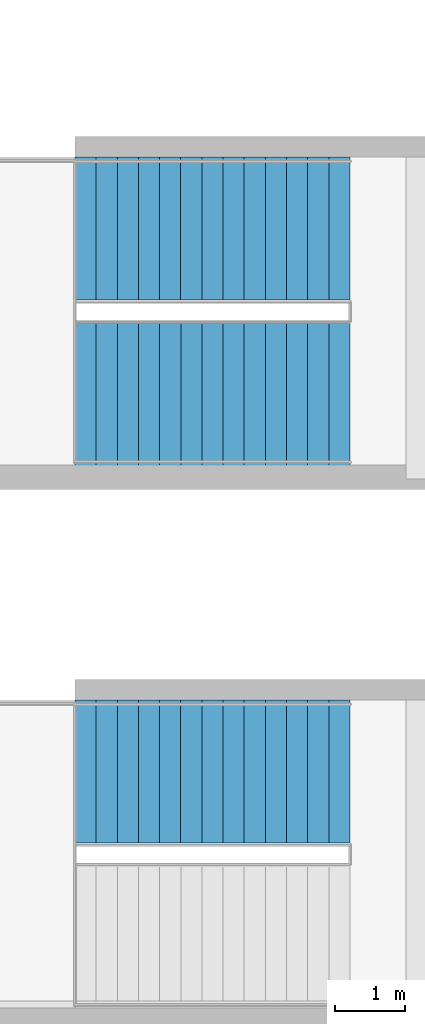
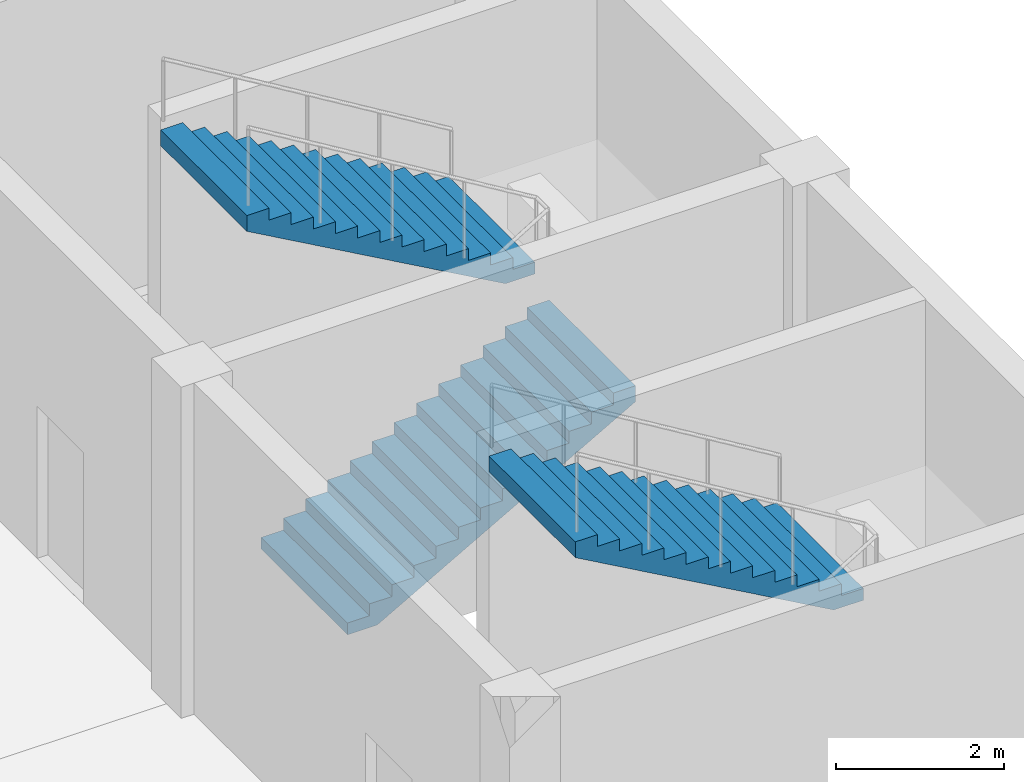
# One storey, part 87 of 91: 3 stair flights, 2 elements without a shape of their own.
"""IFC4 building model written with IfcOpenShell, lengths in metres."""

from ifc_helpers import new_model, si_unit, direction, frame, origin, place, context, subcontext, project, spatial, polyline, outline, extrude, material, type_object, element, aggregate, save


model = new_model("IFC4")

# Units and contexts
model_context = context("Model", 3, precision=1e-05, world=origin(), true_north=direction((0.0, 1.0)))
body_context = subcontext(model_context, "Body", "Model", "MODEL_VIEW")
ifc_project = project(units=[si_unit("LENGTHUNIT", "METRE"), si_unit("AREAUNIT", "SQUARE_METRE"), si_unit("VOLUMEUNIT", "CUBIC_METRE"), si_unit("PLANEANGLEUNIT", "RADIAN"), si_unit("MASSUNIT", "GRAM", prefix="KILO")], contexts=[model_context])

# Site, building, storey
site_placement = place(None, origin())
site = spatial("IfcSite", under=ifc_project, at=site_placement, CompositionType="ELEMENT")
building_placement = place(site_placement, origin())
building = spatial("IfcBuilding", under=site, at=building_placement, Name="Pellamere Symphony Hall", CompositionType="ELEMENT")
storey_placement = place(building_placement, frame((0.0, 0.0, 5.39990234375)))
storey = spatial("IfcBuildingStorey", under=building, at=storey_placement, Name="L01", CompositionType="ELEMENT", Elevation=5.39990234375)

# Stair, stair flight
ifc_material = material(Name="Concrete 40 MPa", Category="concrete")
stair_type = type_object("IfcStairType", Name="Stair ST-B W2050", PredefinedType="HALF_TURN_STAIR", material=ifc_material)
stair_1_placement = place(storey_placement, origin())
stair_1 = element("IfcStair", 1, at=stair_1_placement, inside=storey, type_object=stair_type, Name="Exit Stair ST05-L01 (L01 to L02)", PredefinedType="HALF_TURN_STAIR")
stair_flight_type = type_object("IfcStairFlightType", Name="Stair Flight SF-B W2050", PredefinedType="STRAIGHT", material=ifc_material)
stair_flight_1_placement = place(storey_placement, frame((170.574951171875, 73.175048828125, 2.400146484375), z_axis=(0.0, 0.0, 1.0), x_axis=(-1.0, 0.0, 0.0)))
stair_flight_1 = element("IfcStairFlight", 2, at=stair_flight_1_placement, type_object=stair_flight_type, Name="Stair ST05-L01 Upper Flight (L01)", NumberOfRisers=14, NumberOfTreads=13, PredefinedType="STRAIGHT", RiserHeight=0.17143, TreadLength=0.30385, context=body_context, shape_type="SweptSolid", body=[
    extrude(outline(polyline([(0.0, 0.0), (0.0, 0.17138671875), (0.303955078125, 0.17138671875), (0.303955078125, 0.3427734375), (0.607666015625, 0.3427734375), (0.607666015625, 0.514404296875), (0.91162109375, 0.514404296875), (0.91162109375, 0.685791015625), (1.21533203125, 0.685791015625), (1.21533203125, 0.857177734375), (1.519287109375, 0.857177734375), (1.519287109375, 1.028564453125), (1.822998046875, 1.028564453125), (1.822998046875, 1.199951171875), (2.126953125, 1.199951171875), (2.126953125, 1.371337890625), (2.430908203125, 1.371337890625), (2.430908203125, 1.54296875), (2.734619140625, 1.54296875), (2.734619140625, 1.71435546875), (3.03857421875, 1.71435546875), (3.03857421875, 1.8857421875), (3.34228515625, 1.8857421875), (3.34228515625, 2.05712890625), (3.646240234375, 2.05712890625), (3.646240234375, 2.228515625), (3.949951171875, 2.228515625), (3.949951171875, 2.39990234375), (3.949951171875, 1.9990234375), (0.406982421875, 0.0), (0.0, 0.0)])), frame((0.0, 1.02490234375, 0.0), z_axis=(0.0, -1.0, 0.0), x_axis=(1.0, 0.0, 0.0)), (0.0, 0.0, 1.0), 2.050048828125),
])
aggregate(stair_1, [stair_flight_1])

# Stair, stair flights
stair_2_placement = place(storey_placement, origin())
stair_2 = element("IfcStair", 3, at=stair_2_placement, inside=storey, type_object=stair_type, Name="Exit Stair ST14-L01 (L01 to L02)", PredefinedType="HALF_TURN_STAIR")
stair_flight_2_placement = place(storey_placement, frame((166.625, 78.5849609375, 0.0), z_axis=(0.0, 0.0, 1.0), x_axis=(1.0, 0.0, 0.0)))
stair_flight_2 = element("IfcStairFlight", 4, at=stair_flight_2_placement, type_object=stair_flight_type, Name="Stair ST14-L01 Lower Flight (L01)", NumberOfRisers=14, NumberOfTreads=13, PredefinedType="STRAIGHT", RiserHeight=0.17143, TreadLength=0.30385, context=body_context, shape_type="SweptSolid", body=[
    extrude(outline(polyline([(0.0, 0.0), (0.0, 0.17138671875), (0.303955078125, 0.17138671875), (0.303955078125, 0.3427734375), (0.607666015625, 0.3427734375), (0.607666015625, 0.514404296875), (0.91162109375, 0.514404296875), (0.91162109375, 0.685791015625), (1.21533203125, 0.685791015625), (1.21533203125, 0.857177734375), (1.519287109375, 0.857177734375), (1.519287109375, 1.028564453125), (1.822998046875, 1.028564453125), (1.822998046875, 1.199951171875), (2.126953125, 1.199951171875), (2.126953125, 1.371337890625), (2.430908203125, 1.371337890625), (2.430908203125, 1.54296875), (2.734619140625, 1.54296875), (2.734619140625, 1.71435546875), (3.03857421875, 1.71435546875), (3.03857421875, 1.8857421875), (3.34228515625, 1.8857421875), (3.34228515625, 2.05712890625), (3.646240234375, 2.05712890625), (3.646240234375, 2.228515625), (3.949951171875, 2.228515625), (3.949951171875, 2.39990234375), (3.949951171875, 1.9990234375), (0.406982421875, 0.0), (0.0, 0.0)])), frame((0.0, 1.02490234375, 0.0), z_axis=(0.0, -1.0, 0.0), x_axis=(1.0, 0.0, 0.0)), (0.0, 0.0, 1.0), 2.050048828125),
])
stair_flight_3_placement = place(storey_placement, frame((170.574951171875, 80.97509765625, 2.400146484375), z_axis=(0.0, 0.0, 1.0), x_axis=(-1.0, 0.0, 0.0)))
stair_flight_3 = element("IfcStairFlight", 5, at=stair_flight_3_placement, type_object=stair_flight_type, Name="Stair ST14-L01 Upper Flight (L01)", NumberOfRisers=14, NumberOfTreads=13, PredefinedType="STRAIGHT", RiserHeight=0.17143, TreadLength=0.30385, context=body_context, shape_type="SweptSolid", body=[
    extrude(outline(polyline([(0.0, 0.0), (0.0, 0.17138671875), (0.303955078125, 0.17138671875), (0.303955078125, 0.3427734375), (0.607666015625, 0.3427734375), (0.607666015625, 0.514404296875), (0.91162109375, 0.514404296875), (0.91162109375, 0.685791015625), (1.21533203125, 0.685791015625), (1.21533203125, 0.857177734375), (1.519287109375, 0.857177734375), (1.519287109375, 1.028564453125), (1.822998046875, 1.028564453125), (1.822998046875, 1.199951171875), (2.126953125, 1.199951171875), (2.126953125, 1.371337890625), (2.430908203125, 1.371337890625), (2.430908203125, 1.54296875), (2.734619140625, 1.54296875), (2.734619140625, 1.71435546875), (3.03857421875, 1.71435546875), (3.03857421875, 1.8857421875), (3.34228515625, 1.8857421875), (3.34228515625, 2.05712890625), (3.646240234375, 2.05712890625), (3.646240234375, 2.228515625), (3.949951171875, 2.228515625), (3.949951171875, 2.39990234375), (3.949951171875, 1.9990234375), (0.406982421875, 0.0), (0.0, 0.0)])), frame((0.0, 1.02490234375, 0.0), z_axis=(0.0, -1.0, 0.0), x_axis=(1.0, 0.0, 0.0)), (0.0, 0.0, 1.0), 2.050048828125),
])
aggregate(stair_2, [stair_flight_2, stair_flight_3])

save(model, "model.ifc")
